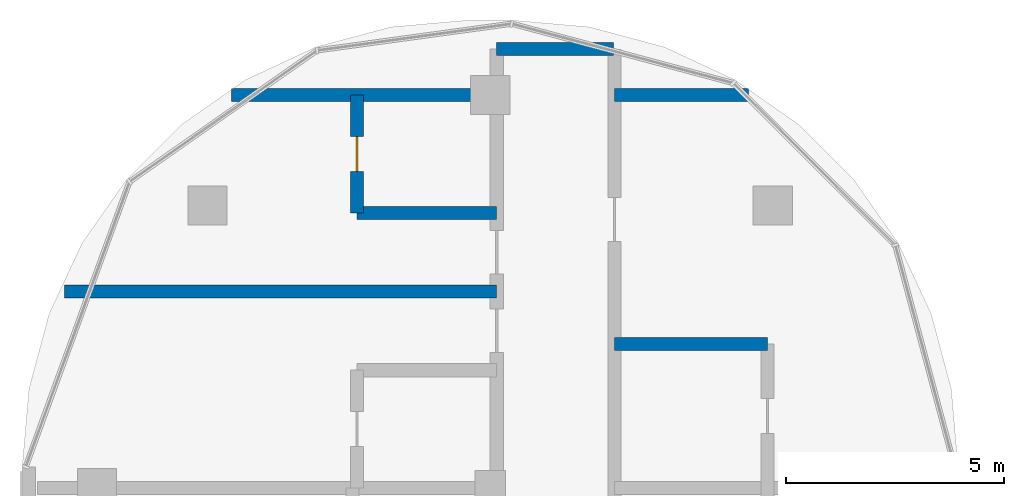
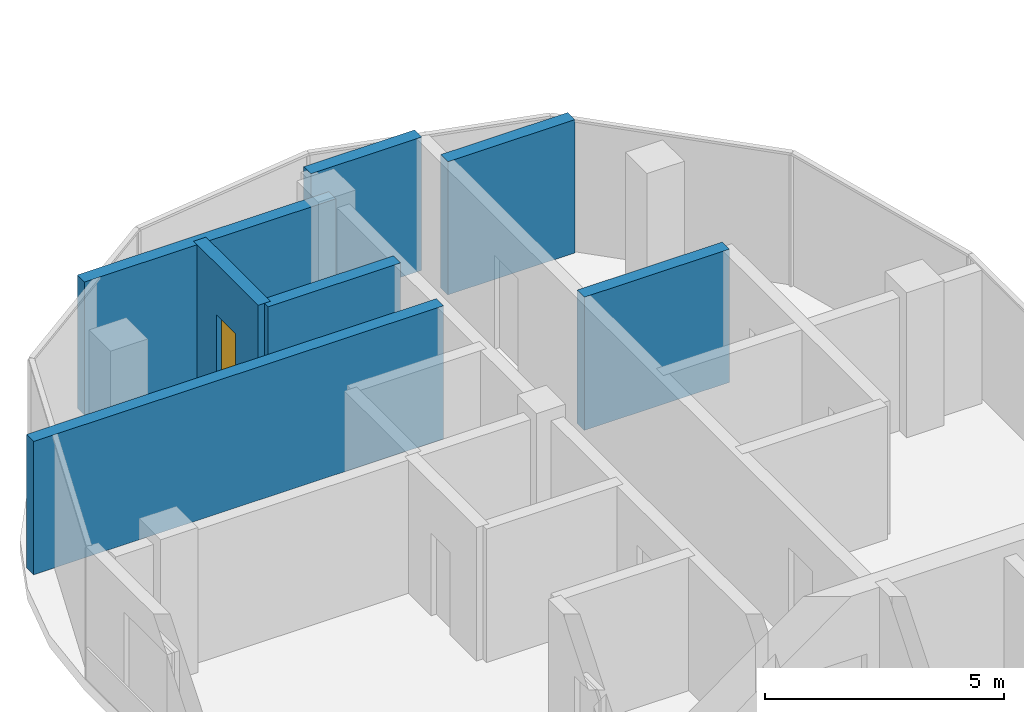
# One storey, part 13 of 19: 7 walls, 1 door, 1 opening.
"""IFC4 building model written with IfcOpenShell, lengths in metres."""

from ifc_helpers import new_model, si_unit, direction, frame, frame_2d, origin, place, context, subcontext, project, spatial, rectangle, extrude, material, layer, layer_set, type_object, element, fill, save


model = new_model("IFC4")

# Units and contexts
model_context = context("Model", 3, precision=1e-05, world=origin(), true_north=direction((0.0, 1.0)))
body_context = subcontext(model_context, "Body", "Model", "MODEL_VIEW")
ifc_project = project(units=[si_unit("LENGTHUNIT", "METRE"), si_unit("AREAUNIT", "SQUARE_METRE"), si_unit("VOLUMEUNIT", "CUBIC_METRE"), si_unit("PLANEANGLEUNIT", "RADIAN"), si_unit("MASSUNIT", "GRAM", prefix="KILO")], contexts=[model_context])

# Site, building, storey
site_placement = place(None, origin())
site = spatial("IfcSite", under=ifc_project, at=site_placement, CompositionType="ELEMENT")
building_placement = place(site_placement, origin())
building = spatial("IfcBuilding", under=site, at=building_placement, Name="Ogive Portal Towers", CompositionType="ELEMENT")
storey_placement = place(building_placement, frame((0.0, 0.0, 199.5)))
storey = spatial("IfcBuildingStorey", under=building, at=storey_placement, Name="L49", CompositionType="ELEMENT", Elevation=199.5)

# Walls
ifc_material_1 = material(Name="Gypsum board partition on steel studs", Category="steel")
ifc_layer = layer(ifc_material_1, 0.300048828125)
ifc_layer_set = layer_set([ifc_layer], Name="WT-PART-300-EI 60")
wall_type = type_object("IfcWallType", Name="WT-PART-300-EI 60", PredefinedType="PARTITIONING", material=ifc_layer_set)
wall_1_placement = place(storey_placement, frame((43.35009765625, 51.800048828125, 0.0), z_axis=(0.0, 0.0, 1.0), x_axis=(1.0, 0.0, 0.0)))
element("IfcWall", 1, at=wall_1_placement, inside=storey, type_object=wall_type, Name="Wall L49:w020", PredefinedType="PARTITIONING", context=body_context, shape_type="SweptSolid", body=[
    extrude(rectangle(XDim=3.5, YDim=0.300048828125, at=frame_2d((1.75, 0.0))), origin(), (0.0, 0.0, 1.0), 3.39990234375),
])
wall_2_placement = place(storey_placement, frame((30.757080078125, 53.0, 0.0), z_axis=(0.0, 0.0, 1.0), x_axis=(1.0, 0.0, 0.0)))
element("IfcWall", 2, at=wall_2_placement, inside=storey, type_object=wall_type, Name="Wall L49:w021", PredefinedType="PARTITIONING", context=body_context, shape_type="SweptSolid", body=[
    extrude(rectangle(XDim=9.892822265625, YDim=0.300048828125, at=frame_2d((4.9462890625, 0.0))), origin(), (0.0, 0.0, 1.0), 3.39990234375),
])
wall_3_placement = place(storey_placement, frame((37.449951171875, 54.800048828125, 0.0), z_axis=(0.0, 0.0, 1.0), x_axis=(1.0, 0.0, 0.0)))
element("IfcWall", 3, at=wall_3_placement, inside=storey, type_object=wall_type, Name="Wall L49:w022", PredefinedType="PARTITIONING", context=body_context, shape_type="SweptSolid", body=[
    extrude(rectangle(XDim=3.199951171875, YDim=0.300048828125, at=frame_2d((1.60009765625, 0.0))), origin(), (0.0, 0.0, 1.0), 3.39990234375),
])
wall_4_placement = place(storey_placement, frame((34.58203125, 57.5, 0.0), z_axis=(0.0, 0.0, 1.0), x_axis=(1.0, 0.0, 0.0)))
element("IfcWall", 4, at=wall_4_placement, inside=storey, type_object=wall_type, Name="Wall L49:w023", PredefinedType="PARTITIONING", context=body_context, shape_type="SweptSolid", body=[
    extrude(rectangle(XDim=6.06787109375, YDim=0.300048828125, at=frame_2d((3.033935546875, 0.0))), origin(), (0.0, 0.0, 1.0), 3.39990234375),
])
wall_5_placement = place(storey_placement, frame((43.35009765625, 57.5, 0.0), z_axis=(0.0, 0.0, 1.0), x_axis=(1.0, 0.0, 0.0)))
element("IfcWall", 5, at=wall_5_placement, inside=storey, type_object=wall_type, Name="Wall L49:w024", PredefinedType="PARTITIONING", context=body_context, shape_type="SweptSolid", body=[
    extrude(rectangle(XDim=3.06787109375, YDim=0.300048828125, at=frame_2d((1.533935546875, 0.0))), origin(), (0.0, 0.0, 1.0), 3.39990234375),
])
wall_6_placement = place(storey_placement, frame((40.64990234375, 58.550048828125, 0.0), z_axis=(0.0, 0.0, 1.0), x_axis=(1.0, 0.0, 0.0)))
element("IfcWall", 6, at=wall_6_placement, inside=storey, type_object=wall_type, Name="Wall L49:w025", PredefinedType="PARTITIONING", context=body_context, shape_type="SweptSolid", body=[
    extrude(rectangle(XDim=2.674072265625, YDim=0.300048828125, at=frame_2d((1.3369140625, 0.0))), origin(), (0.0, 0.0, 1.0), 3.39990234375),
])

# Wall, opening, door
wall_7_placement = place(storey_placement, frame((37.449951171875, 54.800048828125, 0.0), z_axis=(0.0, 0.0, 1.0), x_axis=(0.0, 1.0, 0.0)))
wall_7 = element("IfcWall", 7, at=wall_7_placement, inside=storey, type_object=wall_type, Name="Wall L49:w029", PredefinedType="PARTITIONING", context=body_context, shape_type="SweptSolid", body=[
    extrude(rectangle(XDim=2.699951171875, YDim=0.300048828125, at=frame_2d((1.35009765625, 0.0))), origin(), (0.0, 0.0, 1.0), 3.39990234375),
])
opening_placement = place(wall_7_placement, frame((0.949951171875, 0.0, 0.0)))
opening = element("IfcOpeningElement", 8, at=opening_placement, cuts=wall_7, Name="Opening D22-051", PredefinedType="OPENING", context=body_context, shape_type="SweptSolid", body=[
    extrude(rectangle(XDim=0.800048828125, YDim=2.10009765625, at=frame_2d((0.39990234375, 1.050048828125))), frame((0.0, 0.16015625, 0.0), z_axis=(0.0, -1.0, 0.0), x_axis=(1.0, 0.0, 0.0)), (0.0, 0.0, 1.0), 0.320068359375),
])
ifc_material_2 = material(Name="Steel fire door", Category="steel")
door_type = type_object("IfcDoorType", Name="DT-BATH-800x2100-FD60S", OperationType="SINGLE_SWING_LEFT", PredefinedType="DOOR", material=ifc_material_2)
door_placement = place(opening_placement, origin())
door = element("IfcDoor", 9, at=door_placement, inside=storey, type_object=door_type, Name="Door D22-051", OperationType="SINGLE_SWING_RIGHT", OverallHeight=2.10009765625, OverallWidth=0.800048828125, PredefinedType="DOOR", context=body_context, shape_type="SweptSolid", body=[
    extrude(rectangle(XDim=0.800048828125, YDim=2.10009765625, at=frame_2d((0.39990234375, 1.050048828125))), frame((0.0, 0.02490234375, 0.0), z_axis=(0.0, -1.0, 0.0), x_axis=(1.0, 0.0, 0.0)), (0.0, 0.0, 1.0), 0.050048828125),
])
fill(opening, door)

save(model, "model.ifc")
